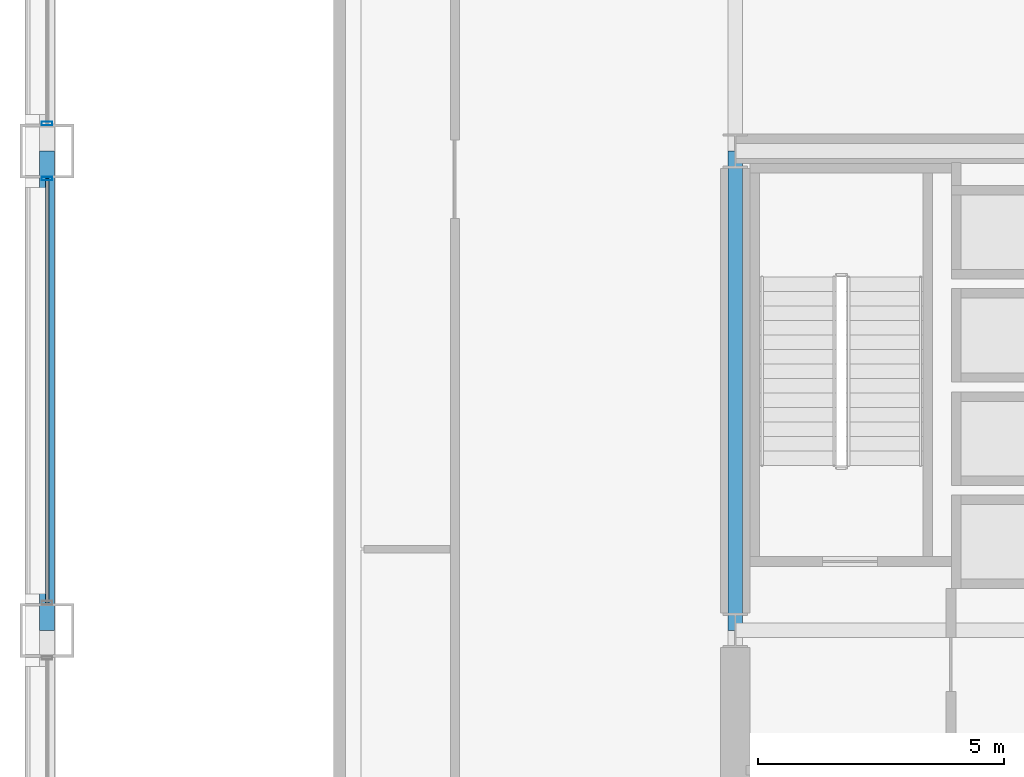
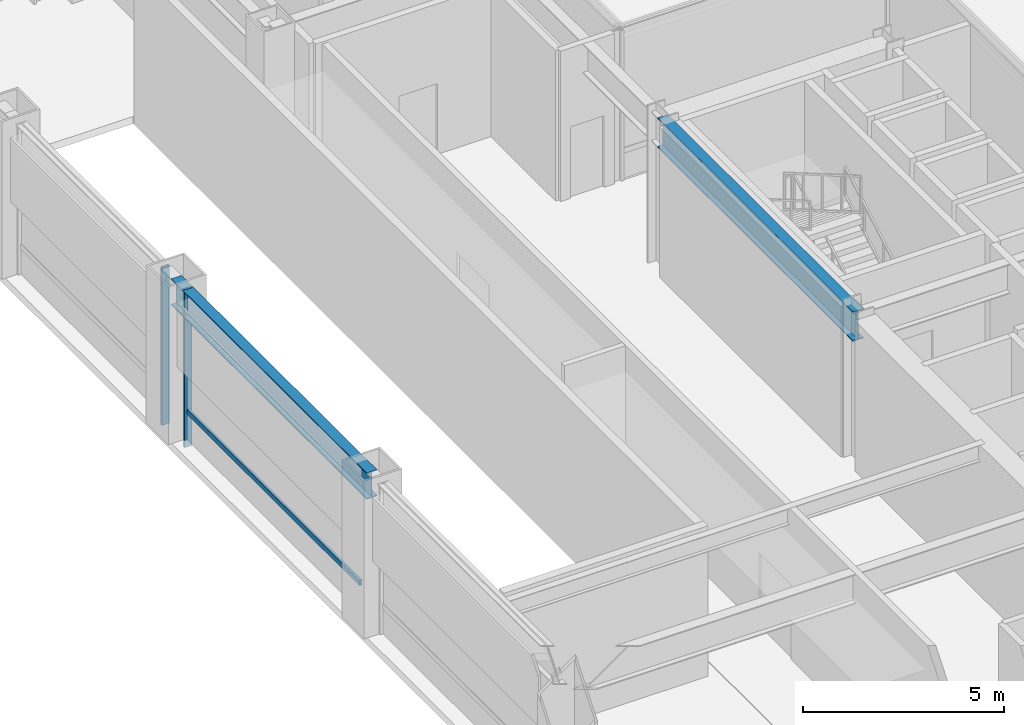
# One storey, part 12 of 37: 3 members, 2 beams, 2 elements without a shape of their own.
"""IFC4 building model written with IfcOpenShell, lengths in metres."""

from ifc_helpers import new_model, si_unit, direction, frame, origin, origin_2d, place, context, subcontext, project, spatial, hollow_rectangle, i_section, extrude, material, layer, layer_set, material_profile, profile_set, type_object, element, aggregate, save


model = new_model("IFC4")

# Units and contexts
model_context = context("Model", 3, precision=1e-05, world=origin(), true_north=direction((0.0, 1.0)))
body_context = subcontext(model_context, "Body", "Model", "MODEL_VIEW")
ifc_project = project(units=[si_unit("LENGTHUNIT", "METRE"), si_unit("AREAUNIT", "SQUARE_METRE"), si_unit("VOLUMEUNIT", "CUBIC_METRE"), si_unit("PLANEANGLEUNIT", "RADIAN"), si_unit("MASSUNIT", "GRAM", prefix="KILO")], contexts=[model_context])

# Site, building, storey
site_placement = place(None, origin())
site = spatial("IfcSite", under=ifc_project, at=site_placement, CompositionType="ELEMENT")
building_placement = place(site_placement, origin())
building = spatial("IfcBuilding", under=site, at=building_placement, Name="Brelmoor Portico Tower", CompositionType="ELEMENT")
storey_placement = place(building_placement, origin())
storey = spatial("IfcBuildingStorey", under=building, at=storey_placement, Name="L00", CompositionType="ELEMENT", Elevation=0.0)

# Beams
ifc_material_1 = material(Name="Steel Q355B", Category="steel")
ifc_material_profile_1 = material_profile(ifc_material_1, i_section(OverallWidth=0.300048828125, OverallDepth=0.89990234375, WebThickness=0.01611328125, FlangeThickness=0.028076171875, at=origin_2d()), Name="HN 900x300x16x28")
ifc_profile_set_1 = profile_set([ifc_material_profile_1], Name="Steel Q355B")
beam_type_1 = type_object("IfcBeamType", Name="BM-PG-900", PredefinedType="BEAM", material=ifc_profile_set_1)
beam_1_placement = place(storey_placement, frame((-14.550048828125, 0.0, 4.1298828125), z_axis=(0.0, 1.0, 0.0), x_axis=(-1.0, 0.0, 0.0)))
element("IfcBeam", 1, at=beam_1_placement, inside=storey, type_object=beam_type_1, Name="L00 Primary Floor Girder PG-07", PredefinedType="BEAM", context=body_context, shape_type="SweptSolid", body=[
    extrude(i_section(OverallWidth=0.300048828125, OverallDepth=0.89990234375, WebThickness=0.01611328125, FlangeThickness=0.028076171875, at=origin_2d()), origin(), (0.0, 0.0, 1.0), 9.75),
])
ifc_material_profile_2 = material_profile(ifc_material_1, i_section(OverallWidth=0.300048828125, OverallDepth=0.800048828125, WebThickness=0.013916015625, FlangeThickness=0.02587890625, at=origin_2d()), Name="HN 800x300x14x26")
ifc_profile_set_2 = profile_set([ifc_material_profile_2], Name="Steel Q355B")
beam_type_2 = type_object("IfcBeamType", Name="BM-SP-800", PredefinedType="SPANDREL", material=ifc_profile_set_2)
beam_2_placement = place(storey_placement, frame((-28.550048828125, 0.0, 4.179931640625), z_axis=(0.0, 1.0, 0.0), x_axis=(-1.0, 0.0, 0.0)))
element("IfcBeam", 2, at=beam_2_placement, inside=storey, type_object=beam_type_2, Name="L00 Perimeter Spandrel Beam SP-12", PredefinedType="SPANDREL", context=body_context, shape_type="SweptSolid", body=[
    extrude(i_section(OverallWidth=0.300048828125, OverallDepth=0.800048828125, WebThickness=0.013916015625, FlangeThickness=0.02587890625, at=origin_2d()), origin(), (0.0, 0.0, 1.0), 9.75),
])

# Curtain wall, member
ifc_material_2 = material(Name="Anodised Aluminium Alloy 6063-T6", Category="aluminium")
ifc_layer = layer(ifc_material_2, 0.179931640625)
ifc_layer_set = layer_set([ifc_layer], Name="Anodised Aluminium Alloy 6063-T6")
curtain_wall_type = type_object("IfcCurtainWallType", Name="CW-PODIUM-ARCH", PredefinedType="NOTDEFINED", material=ifc_layer_set)
curtain_wall_1_placement = place(storey_placement, origin())
curtain_wall_1 = element("IfcCurtainWall", 3, at=curtain_wall_1_placement, inside=storey, type_object=curtain_wall_type, Name="L00 Curtain Wall CW-L00-05-4", PredefinedType="NOTDEFINED")
ifc_material_profile_3 = material_profile(ifc_material_2, hollow_rectangle(XDim=0.074951171875, YDim=0.219970703125, WallThickness=0.0048828125, at=origin_2d()), Name="ALU MULLION 75x220")
ifc_profile_set_3 = profile_set([ifc_material_profile_3], Name="Anodised Aluminium Alloy 6063-T6")
member_type_1 = type_object("IfcMemberType", Name="MB-CW-MULL-220", PredefinedType="MULLION", material=ifc_profile_set_3)
member_1_placement = place(storey_placement, frame((-28.550048828125, 9.18994140625, -0.219970703125), z_axis=(0.0, 0.0, 1.0), x_axis=(0.0, 1.0, 0.0)))
member_1 = element("IfcMember", 4, at=member_1_placement, type_object=member_type_1, Name="CW-L00-05-4 Mullion 01", PredefinedType="MULLION", context=body_context, shape_type="SweptSolid", body=[
    extrude(hollow_rectangle(XDim=0.074951171875, YDim=0.219970703125, WallThickness=0.0048828125, at=origin_2d()), origin(), (0.0, 0.0, 1.0), 4.800048828125),
])

curtain_wall_2_placement = place(storey_placement, origin())
curtain_wall_2 = element("IfcCurtainWall", 5, at=curtain_wall_2_placement, inside=storey, type_object=curtain_wall_type, Name="L00 Curtain Wall CW-L00-05-5", PredefinedType="NOTDEFINED")
member_2_placement = place(storey_placement, frame((-28.550048828125, 10.31005859375, -0.219970703125), z_axis=(0.0, 0.0, 1.0), x_axis=(0.0, 1.0, 0.0)))
member_2 = element("IfcMember", 6, at=member_2_placement, type_object=member_type_1, Name="CW-L00-05-5 Mullion 00", PredefinedType="MULLION", context=body_context, shape_type="SweptSolid", body=[
    extrude(hollow_rectangle(XDim=0.074951171875, YDim=0.219970703125, WallThickness=0.0048828125, at=origin_2d()), origin(), (0.0, 0.0, 1.0), 4.800048828125),
])
aggregate(curtain_wall_2, [member_2])

# Member
ifc_material_profile_4 = material_profile(ifc_material_2, hollow_rectangle(XDim=0.070068359375, YDim=0.159912109375, WallThickness=0.00390625, at=origin_2d()), Name="ALU TRANSOM 70x160")
ifc_profile_set_4 = profile_set([ifc_material_profile_4], Name="Anodised Aluminium Alloy 6063-T6")
member_type_2 = type_object("IfcMemberType", Name="MB-CW-TRAN-160", PredefinedType="USERDEFINED", material=ifc_profile_set_4)
member_3_placement = place(storey_placement, frame((-28.550048828125, 0.56005859375, 0.85009765625), z_axis=(0.0, 1.0, 0.0), x_axis=(-1.0, 0.0, 0.0)))
member_3 = element("IfcMember", 7, at=member_3_placement, type_object=member_type_2, Name="CW-L00-05-4 Transom 1-00", ObjectType="TRANSOM", PredefinedType="USERDEFINED", context=body_context, shape_type="SweptSolid", body=[
    extrude(hollow_rectangle(XDim=0.070068359375, YDim=0.159912109375, WallThickness=0.00390625, at=origin_2d()), origin(), (0.0, 0.0, 1.0), 8.6298828125),
])

aggregate(curtain_wall_1, [member_1, member_3])

save(model, "model.ifc")
